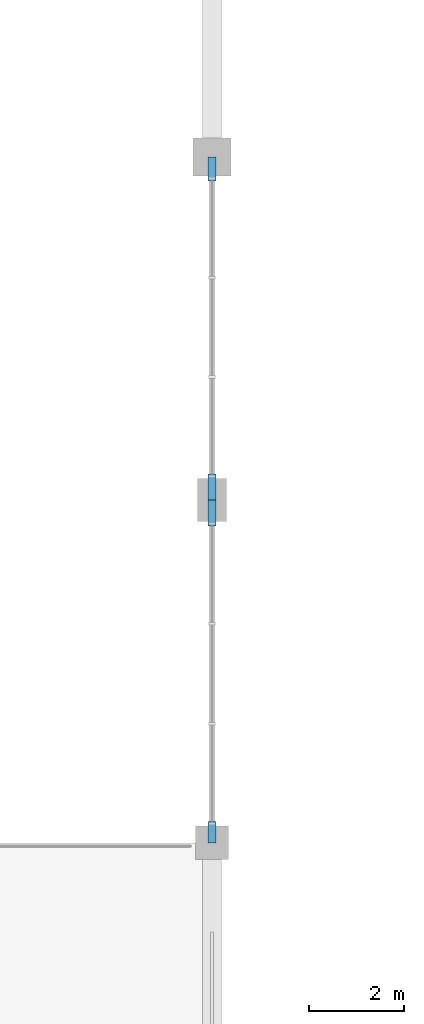
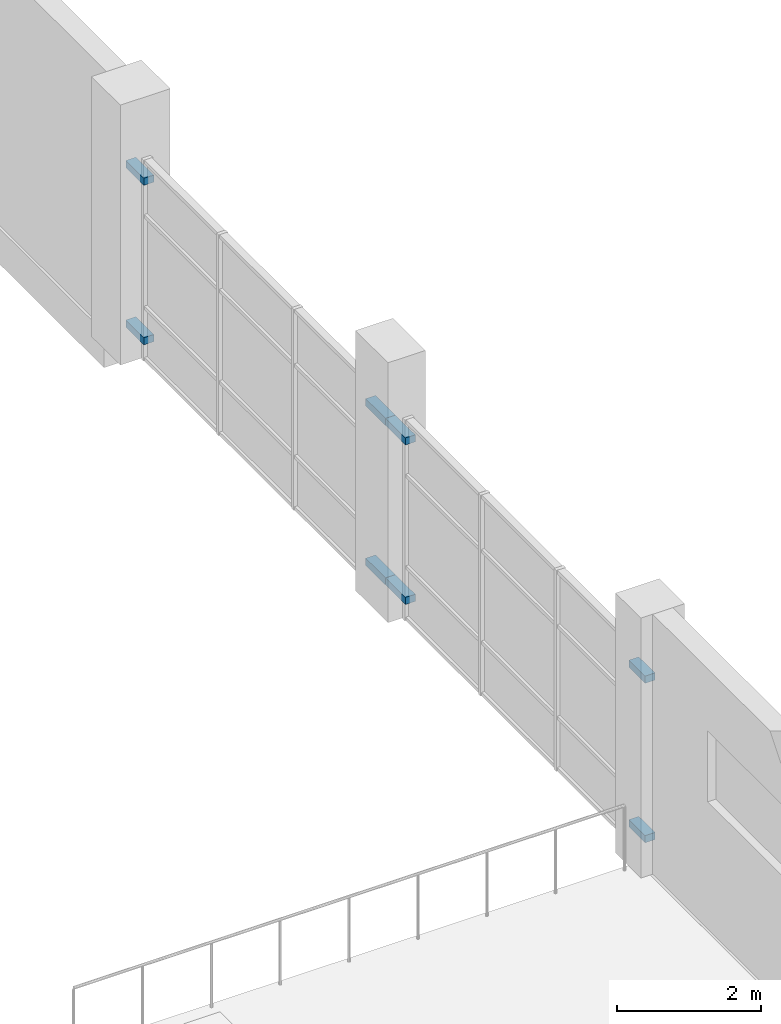
# One storey, part 57 of 71: 8 discrete accessories.
"""IFC4 building model written with IfcOpenShell, lengths in metres."""

from ifc_helpers import new_model, si_unit, direction, frame, origin, place, context, subcontext, project, spatial, rectangle, extrude, material, type_object, element, save


model = new_model("IFC4")

# Units and contexts
model_context = context("Model", 3, precision=1e-05, world=origin(), true_north=direction((0.0, 1.0)))
body_context = subcontext(model_context, "Body", "Model", "MODEL_VIEW")
ifc_project = project(units=[si_unit("LENGTHUNIT", "METRE"), si_unit("AREAUNIT", "SQUARE_METRE"), si_unit("VOLUMEUNIT", "CUBIC_METRE"), si_unit("PLANEANGLEUNIT", "RADIAN"), si_unit("MASSUNIT", "GRAM", prefix="KILO")], contexts=[model_context])

# Site, building, storey
site_placement = place(None, origin())
site = spatial("IfcSite", under=ifc_project, at=site_placement, CompositionType="ELEMENT")
building_placement = place(site_placement, origin())
building = spatial("IfcBuilding", under=site, at=building_placement, Name="Sardonyx Promenade Sports Hall", CompositionType="ELEMENT")
storey_placement = place(building_placement, frame((0.0, 0.0, 16.0)))
storey = spatial("IfcBuildingStorey", under=building, at=storey_placement, Name="L03", CompositionType="ELEMENT", Elevation=16.0)

# Discrete accessories
ifc_material = material(Name="Steel S355JR", Category="steel")
discrete_accessory_type = type_object("IfcDiscreteAccessoryType", Name="Acc_Bracket_S355", PredefinedType="BRACKET", material=ifc_material)
for number, where, z_axis, x_axis, name in (
    (1, (79.2, 93.35, 0.29), (0.0, 0.0, 1.0), (0.0, -1.0, 0.0), "Curtain-wall jamb bracket L03 #65"),
    (2, (79.2, 93.35, 2.99), (0.0, 0.0, 1.0), (0.0, -1.0, 0.0), "Curtain-wall jamb bracket L03 #66"),
):
    element("IfcDiscreteAccessory", number, at=place(storey_placement, frame(where, z_axis=z_axis, x_axis=x_axis)), inside=storey, type_object=discrete_accessory_type, material=ifc_material, Name=name, PredefinedType="BRACKET", context=body_context, shape_type="SweptSolid", body=[
        extrude(rectangle(XDim=0.5, YDim=0.16), origin(), (0.0, 0.0, 1.0), 0.12),
    ])
for number, where, z_axis, x_axis, name in (
    (3, (79.2, 86.675, 0.29), (0.0, 0.0, 1.0), (0.0, -1.0, 0.0), "Curtain-wall jamb bracket L03 #67"),
    (4, (79.2, 86.675, 2.99), (0.0, 0.0, 1.0), (0.0, -1.0, 0.0), "Curtain-wall jamb bracket L03 #68"),
    (5, (79.2, 86.125, 0.29), (0.0, 0.0, 1.0), (0.0, -1.0, 0.0), "Curtain-wall jamb bracket L03 #69"),
    (6, (79.2, 86.125, 2.99), (0.0, 0.0, 1.0), (0.0, -1.0, 0.0), "Curtain-wall jamb bracket L03 #70"),
):
    element("IfcDiscreteAccessory", number, at=place(storey_placement, frame(where, z_axis=z_axis, x_axis=x_axis)), inside=storey, type_object=discrete_accessory_type, material=ifc_material, Name=name, PredefinedType="BRACKET", context=body_context, shape_type="SweptSolid", body=[
        extrude(rectangle(XDim=0.55, YDim=0.16), origin(), (0.0, 0.0, 1.0), 0.12),
    ])
for number, where, z_axis, x_axis, name in (
    (7, (79.2, 79.425, 0.29), (0.0, 0.0, 1.0), (0.0, -1.0, 0.0), "Curtain-wall jamb bracket L03 #71"),
    (8, (79.2, 79.425, 2.99), (0.0, 0.0, 1.0), (0.0, -1.0, 0.0), "Curtain-wall jamb bracket L03 #72"),
):
    element("IfcDiscreteAccessory", number, at=place(storey_placement, frame(where, z_axis=z_axis, x_axis=x_axis)), inside=storey, type_object=discrete_accessory_type, material=ifc_material, Name=name, PredefinedType="BRACKET", context=body_context, shape_type="SweptSolid", body=[
        extrude(rectangle(XDim=0.45, YDim=0.16), origin(), (0.0, 0.0, 1.0), 0.12),
    ])

save(model, "model.ifc")
